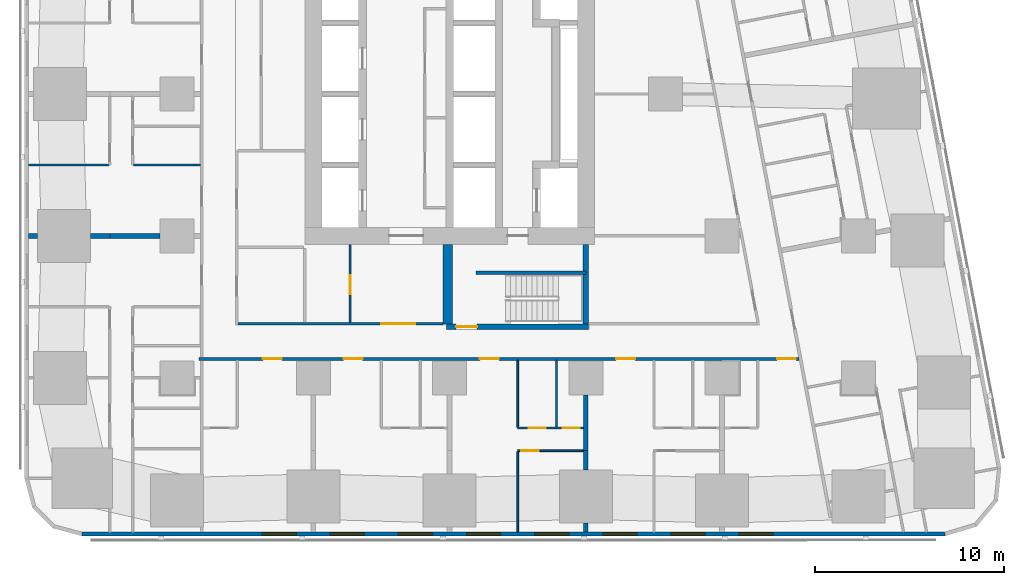
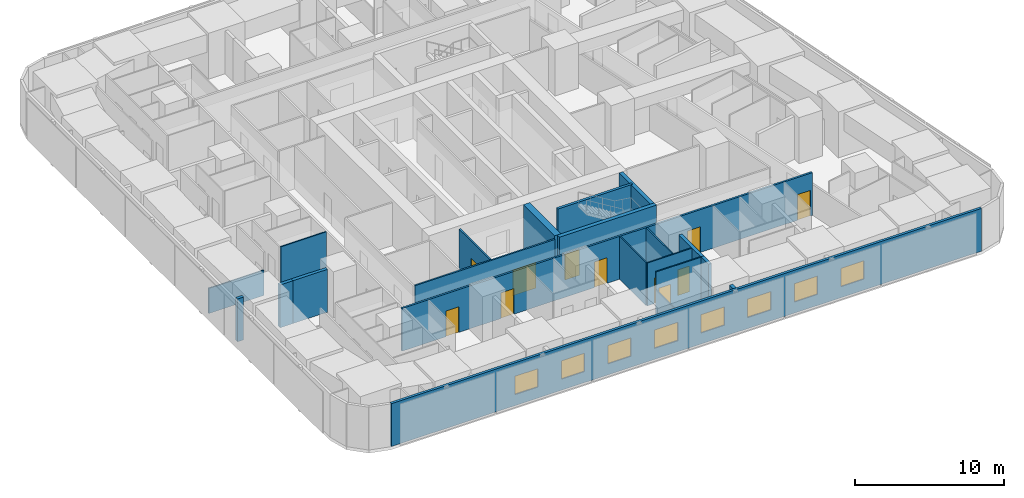
# One storey, part 3 of 15: 21 walls, 11 doors, 8 windows, 19 openings.
"""IFC4 building model written with IfcOpenShell, lengths in metres."""

from ifc_helpers import new_model, si_unit, direction, frame, frame_2d, origin, place, context, subcontext, project, spatial, rectangle, extrude, material, layer, layer_set, type_object, element, fill, save


model = new_model("IFC4")

# Units and contexts
model_context = context("Model", 3, precision=1e-05, world=origin(), true_north=direction((0.0, 1.0)))
body_context = subcontext(model_context, "Body", "Model", "MODEL_VIEW")
ifc_project = project(units=[si_unit("LENGTHUNIT", "METRE"), si_unit("AREAUNIT", "SQUARE_METRE"), si_unit("VOLUMEUNIT", "CUBIC_METRE"), si_unit("PLANEANGLEUNIT", "RADIAN"), si_unit("MASSUNIT", "GRAM", prefix="KILO")], contexts=[model_context])

# Site, building, storey
site_placement = place(None, origin())
site = spatial("IfcSite", under=ifc_project, at=site_placement, CompositionType="ELEMENT")
building_placement = place(site_placement, origin())
building = spatial("IfcBuilding", under=site, at=building_placement, Name="Sheger Commons Tower", CompositionType="ELEMENT")
storey_placement = place(building_placement, frame((0.0, 0.0, 46.25)))
storey = spatial("IfcBuildingStorey", under=building, at=storey_placement, Name="L11", CompositionType="ELEMENT", Elevation=46.25)

# Wall, openings, doors
ifc_material_1 = material(Name="Hollow concrete block masonry, skimmed both sides", Category="masonry")
ifc_layer_1 = layer(ifc_material_1, 0.14990234375)
ifc_layer_set_1 = layer_set([ifc_layer_1], Name="CORRIDOR WALL 150")
wall_type_1 = type_object("IfcWallType", Name="CORRIDOR WALL 150", PredefinedType="SOLIDWALL", material=ifc_layer_set_1)
wall_1_placement = place(storey_placement, frame((40.053955078125, 8.5, 0.0), z_axis=(0.0, 0.0, 1.0), x_axis=(-1.0, 0.0, 0.0)))
wall_1 = element("IfcWall", 1, at=wall_1_placement, inside=storey, type_object=wall_type_1, Name="Corridor wall L11", PredefinedType="SOLIDWALL", context=body_context, shape_type="SweptSolid", body=[
    extrude(rectangle(XDim=31.703857421875, YDim=0.14990234375, at=frame_2d((15.85205078125, 0.0))), origin(), (0.0, 0.0, 1.0), 3.5),
])
opening_1_placement = place(wall_1_placement, frame((27.321044921875, 0.0, 0.0)))
opening_1 = element("IfcOpeningElement", 2, at=opening_1_placement, cuts=wall_1, Name="Opening D1", PredefinedType="OPENING", context=body_context, shape_type="SweptSolid", body=[
    extrude(rectangle(XDim=1.0, YDim=2.10009765625, at=frame_2d((0.5, 1.050048828125))), frame((0.0, 0.0849609375, 0.0), z_axis=(0.0, -1.0, 0.0), x_axis=(1.0, 0.0, 0.0)), (0.0, 0.0, 1.0), 0.169921875),
])
opening_2_placement = place(wall_1_placement, frame((23.053955078125, 0.0, 0.0)))
opening_2 = element("IfcOpeningElement", 3, at=opening_2_placement, cuts=wall_1, Name="Opening D1", PredefinedType="OPENING", context=body_context, shape_type="SweptSolid", body=[
    extrude(rectangle(XDim=1.0, YDim=2.10009765625, at=frame_2d((0.5, 1.050048828125))), frame((0.0, 0.0849609375, 0.0), z_axis=(0.0, -1.0, 0.0), x_axis=(1.0, 0.0, 0.0)), (0.0, 0.0, 1.0), 0.169921875),
])
opening_3_placement = place(wall_1_placement, frame((15.85400390625, 0.0, 0.0)))
opening_3 = element("IfcOpeningElement", 4, at=opening_3_placement, cuts=wall_1, Name="Opening D1", PredefinedType="OPENING", context=body_context, shape_type="SweptSolid", body=[
    extrude(rectangle(XDim=1.0, YDim=2.10009765625, at=frame_2d((0.5, 1.050048828125))), frame((0.0, 0.0849609375, 0.0), z_axis=(0.0, -1.0, 0.0), x_axis=(1.0, 0.0, 0.0)), (0.0, 0.0, 1.0), 0.169921875),
])
opening_4_placement = place(wall_1_placement, frame((8.654052734375, 0.0, 0.0)))
opening_4 = element("IfcOpeningElement", 5, at=opening_4_placement, cuts=wall_1, Name="Opening D1", PredefinedType="OPENING", context=body_context, shape_type="SweptSolid", body=[
    extrude(rectangle(XDim=1.0, YDim=2.10009765625, at=frame_2d((0.5, 1.050048828125))), frame((0.0, 0.0849609375, 0.0), z_axis=(0.0, -1.0, 0.0), x_axis=(1.0, 0.0, 0.0)), (0.0, 0.0, 1.0), 0.169921875),
])
opening_5_placement = place(wall_1_placement, frame((0.14990234375, 0.0, 0.0)))
opening_5 = element("IfcOpeningElement", 6, at=opening_5_placement, cuts=wall_1, Name="Opening D1", PredefinedType="OPENING", context=body_context, shape_type="SweptSolid", body=[
    extrude(rectangle(XDim=1.0, YDim=2.10009765625, at=frame_2d((0.5, 1.050048828125))), frame((0.0, 0.0849609375, 0.0), z_axis=(0.0, -1.0, 0.0), x_axis=(1.0, 0.0, 0.0)), (0.0, 0.0, 1.0), 0.169921875),
])
ifc_material_2 = material(Name="Steel door set, fire rated", Category="steel")
door_type_1 = type_object("IfcDoorType", Name="FLAT ENTRANCE DOOR 1000x2100", OperationType="NOTDEFINED", PredefinedType="DOOR", material=ifc_material_2)
door_1_placement = place(opening_1_placement, origin())
door_1 = element("IfcDoor", 7, at=door_1_placement, inside=storey, type_object=door_type_1, Name="Flat entrance door", OperationType="SINGLE_SWING_LEFT", OverallHeight=2.10009765625, OverallWidth=1.0, PredefinedType="DOOR", context=body_context, shape_type="SweptSolid", body=[
    extrude(rectangle(XDim=1.0, YDim=2.10009765625, at=frame_2d((0.5, 1.050048828125))), frame((0.0, 0.02490234375, 0.0), z_axis=(0.0, -1.0, 0.0), x_axis=(1.0, 0.0, 0.0)), (0.0, 0.0, 1.0), 0.050048828125),
])
fill(opening_1, door_1)
door_2_placement = place(opening_2_placement, origin())
door_2 = element("IfcDoor", 8, at=door_2_placement, inside=storey, type_object=door_type_1, Name="Flat entrance door", OperationType="SINGLE_SWING_LEFT", OverallHeight=2.10009765625, OverallWidth=1.0, PredefinedType="DOOR", context=body_context, shape_type="SweptSolid", body=[
    extrude(rectangle(XDim=1.0, YDim=2.10009765625, at=frame_2d((0.5, 1.050048828125))), frame((0.0, 0.02490234375, 0.0), z_axis=(0.0, -1.0, 0.0), x_axis=(1.0, 0.0, 0.0)), (0.0, 0.0, 1.0), 0.050048828125),
])
fill(opening_2, door_2)
door_3_placement = place(opening_3_placement, origin())
door_3 = element("IfcDoor", 9, at=door_3_placement, inside=storey, type_object=door_type_1, Name="Flat entrance door", OperationType="SINGLE_SWING_LEFT", OverallHeight=2.10009765625, OverallWidth=1.0, PredefinedType="DOOR", context=body_context, shape_type="SweptSolid", body=[
    extrude(rectangle(XDim=1.0, YDim=2.10009765625, at=frame_2d((0.5, 1.050048828125))), frame((0.0, 0.02490234375, 0.0), z_axis=(0.0, -1.0, 0.0), x_axis=(1.0, 0.0, 0.0)), (0.0, 0.0, 1.0), 0.050048828125),
])
fill(opening_3, door_3)
door_4_placement = place(opening_4_placement, origin())
door_4 = element("IfcDoor", 10, at=door_4_placement, inside=storey, type_object=door_type_1, Name="Flat entrance door", OperationType="SINGLE_SWING_LEFT", OverallHeight=2.10009765625, OverallWidth=1.0, PredefinedType="DOOR", context=body_context, shape_type="SweptSolid", body=[
    extrude(rectangle(XDim=1.0, YDim=2.10009765625, at=frame_2d((0.5, 1.050048828125))), frame((0.0, 0.02490234375, 0.0), z_axis=(0.0, -1.0, 0.0), x_axis=(1.0, 0.0, 0.0)), (0.0, 0.0, 1.0), 0.050048828125),
])
fill(opening_4, door_4)
door_5_placement = place(opening_5_placement, origin())
door_5 = element("IfcDoor", 11, at=door_5_placement, inside=storey, type_object=door_type_1, Name="Flat entrance door", OperationType="SINGLE_SWING_LEFT", OverallHeight=2.10009765625, OverallWidth=1.0, PredefinedType="DOOR", context=body_context, shape_type="SweptSolid", body=[
    extrude(rectangle(XDim=1.0, YDim=2.10009765625, at=frame_2d((0.5, 1.050048828125))), frame((0.0, 0.02490234375, 0.0), z_axis=(0.0, -1.0, 0.0), x_axis=(1.0, 0.0, 0.0)), (0.0, 0.0, 1.0), 0.050048828125),
])
fill(opening_5, door_5)

# Walls
ifc_material_3 = material(Name="Dense concrete block masonry, plastered both sides (separating wall between flats)", Category="masonry")
ifc_layer_2 = layer(ifc_material_3, 0.25)
ifc_layer_set_2 = layer_set([ifc_layer_2], Name="DEMISING WALL 250")
wall_type_2 = type_object("IfcWallType", Name="DEMISING WALL 250", PredefinedType="SOLIDWALL", material=ifc_layer_set_2)
wall_2_placement = place(storey_placement, frame((-0.64990234375, 15.0, 0.0), z_axis=(0.0, 0.0, 1.0), x_axis=(1.0, 0.0, 0.0)))
element("IfcWall", 12, at=wall_2_placement, inside=storey, type_object=wall_type_2, Name="Demising wall L11", PredefinedType="SOLIDWALL", context=body_context, shape_type="SweptSolid", body=[
    extrude(rectangle(XDim=0.473876953125, YDim=0.25, at=frame_2d((0.23681640625, 0.0))), origin(), (0.0, 0.0, 1.0), 3.5),
])
wall_3_placement = place(storey_placement, frame((2.6259765625, 15.0, 0.0), z_axis=(0.0, 0.0, 1.0), x_axis=(1.0, 0.0, 0.0)))
element("IfcWall", 13, at=wall_3_placement, inside=storey, type_object=wall_type_2, Name="Demising wall L11", PredefinedType="SOLIDWALL", context=body_context, shape_type="SweptSolid", body=[
    extrude(rectangle(XDim=1.02392578125, YDim=0.25, at=frame_2d((0.511962890625, 0.0))), origin(), (0.0, 0.0, 1.0), 3.5),
])
wall_4_placement = place(storey_placement, frame((3.64990234375, 15.0, 0.0), z_axis=(0.0, 0.0, 1.0), x_axis=(1.0, 0.0, 0.0)))
element("IfcWall", 14, at=wall_4_placement, inside=storey, type_object=wall_type_2, Name="Demising wall L11", PredefinedType="SOLIDWALL", context=body_context, shape_type="SweptSolid", body=[
    extrude(rectangle(XDim=2.649169921875, YDim=0.25, at=frame_2d((1.32470703125, 0.0))), origin(), (0.0, 0.0, 1.0), 3.5),
])
wall_5_placement = place(storey_placement, frame((28.800048828125, -0.64990234375, 0.0), z_axis=(0.0, 0.0, 1.0), x_axis=(0.0, 1.0, 0.0)))
element("IfcWall", 15, at=wall_5_placement, inside=storey, type_object=wall_type_2, Name="Demising wall L11", PredefinedType="SOLIDWALL", context=body_context, shape_type="SweptSolid", body=[
    extrude(rectangle(XDim=0.473876953125, YDim=0.25, at=frame_2d((0.23681640625, 0.0))), origin(), (0.0, 0.0, 1.0), 3.5),
])
wall_6_placement = place(storey_placement, frame((28.800048828125, 2.6259765625, 0.0), z_axis=(0.0, 0.0, 1.0), x_axis=(0.0, 1.0, 0.0)))
element("IfcWall", 16, at=wall_6_placement, inside=storey, type_object=wall_type_2, Name="Demising wall L11", PredefinedType="SOLIDWALL", context=body_context, shape_type="SweptSolid", body=[
    extrude(rectangle(XDim=1.02392578125, YDim=0.25, at=frame_2d((0.511962890625, 0.0))), origin(), (0.0, 0.0, 1.0), 3.5),
])
wall_7_placement = place(storey_placement, frame((28.800048828125, 3.64990234375, 0.0), z_axis=(0.0, 0.0, 1.0), x_axis=(0.0, 1.0, 0.0)))
element("IfcWall", 17, at=wall_7_placement, inside=storey, type_object=wall_type_2, Name="Demising wall L11", PredefinedType="SOLIDWALL", context=body_context, shape_type="SweptSolid", body=[
    extrude(rectangle(XDim=2.94921875, YDim=0.25, at=frame_2d((1.474609375, 0.0))), origin(), (0.0, 0.0, 1.0), 3.5),
])

# Wall, openings, windows
ifc_material_4 = material(Name="Rendered concrete block masonry, dark grey", Category="masonry")
ifc_layer_3 = layer(ifc_material_4, 0.199951171875)
ifc_layer_set_3 = layer_set([ifc_layer_3], Name="FACADE WALL 200")
wall_type_3 = type_object("IfcWallType", Name="FACADE WALL 200", PredefinedType="SOLIDWALL", material=ifc_layer_set_3)
wall_8_placement = place(storey_placement, frame((2.1630859375, -0.75, 0.0), z_axis=(0.0, 0.0, 1.0), x_axis=(1.0, 0.0, 0.0)))
wall_8 = element("IfcWall", 18, at=wall_8_placement, inside=storey, type_object=wall_type_3, Name="Facade wall L11", PredefinedType="SOLIDWALL", context=body_context, shape_type="SweptSolid", body=[
    extrude(rectangle(XDim=45.6279296875, YDim=0.199951171875, at=frame_2d((22.81396484375, 0.0))), origin(), (0.0, 0.0, 1.0), 3.5),
])
opening_6_placement = place(wall_8_placement, frame((9.537109375, 0.0, 0.89990234375)))
opening_6 = element("IfcOpeningElement", 19, at=opening_6_placement, cuts=wall_8, Name="Opening W2", PredefinedType="OPENING", context=body_context, shape_type="SweptSolid", body=[
    extrude(rectangle(XDim=1.800048828125, YDim=1.5, at=frame_2d((0.89990234375, 0.75))), frame((0.0, 0.10986328125, 0.0), z_axis=(0.0, -1.0, 0.0), x_axis=(1.0, 0.0, 0.0)), (0.0, 0.0, 1.0), 0.219970703125),
])
opening_7_placement = place(wall_8_placement, frame((13.136962890625, 0.0, 0.89990234375)))
opening_7 = element("IfcOpeningElement", 20, at=opening_7_placement, cuts=wall_8, Name="Opening W2", PredefinedType="OPENING", context=body_context, shape_type="SweptSolid", body=[
    extrude(rectangle(XDim=1.800048828125, YDim=1.5, at=frame_2d((0.89990234375, 0.75))), frame((0.0, 0.10986328125, 0.0), z_axis=(0.0, -1.0, 0.0), x_axis=(1.0, 0.0, 0.0)), (0.0, 0.0, 1.0), 0.219970703125),
])
opening_8_placement = place(wall_8_placement, frame((16.737060546875, 0.0, 0.89990234375)))
opening_8 = element("IfcOpeningElement", 21, at=opening_8_placement, cuts=wall_8, Name="Opening W2", PredefinedType="OPENING", context=body_context, shape_type="SweptSolid", body=[
    extrude(rectangle(XDim=1.800048828125, YDim=1.5, at=frame_2d((0.89990234375, 0.75))), frame((0.0, 0.10986328125, 0.0), z_axis=(0.0, -1.0, 0.0), x_axis=(1.0, 0.0, 0.0)), (0.0, 0.0, 1.0), 0.219970703125),
])
opening_9_placement = place(wall_8_placement, frame((20.3369140625, 0.0, 0.89990234375)))
opening_9 = element("IfcOpeningElement", 22, at=opening_9_placement, cuts=wall_8, Name="Opening W2", PredefinedType="OPENING", context=body_context, shape_type="SweptSolid", body=[
    extrude(rectangle(XDim=1.800048828125, YDim=1.5, at=frame_2d((0.89990234375, 0.75))), frame((0.0, 0.10986328125, 0.0), z_axis=(0.0, -1.0, 0.0), x_axis=(1.0, 0.0, 0.0)), (0.0, 0.0, 1.0), 0.219970703125),
])
opening_10_placement = place(wall_8_placement, frame((23.93701171875, 0.0, 0.89990234375)))
opening_10 = element("IfcOpeningElement", 23, at=opening_10_placement, cuts=wall_8, Name="Opening W2", PredefinedType="OPENING", context=body_context, shape_type="SweptSolid", body=[
    extrude(rectangle(XDim=1.800048828125, YDim=1.5, at=frame_2d((0.89990234375, 0.75))), frame((0.0, 0.10986328125, 0.0), z_axis=(0.0, -1.0, 0.0), x_axis=(1.0, 0.0, 0.0)), (0.0, 0.0, 1.0), 0.219970703125),
])
opening_11_placement = place(wall_8_placement, frame((27.537109375, 0.0, 0.89990234375)))
opening_11 = element("IfcOpeningElement", 24, at=opening_11_placement, cuts=wall_8, Name="Opening W2", PredefinedType="OPENING", context=body_context, shape_type="SweptSolid", body=[
    extrude(rectangle(XDim=1.800048828125, YDim=1.5, at=frame_2d((0.89990234375, 0.75))), frame((0.0, 0.10986328125, 0.0), z_axis=(0.0, -1.0, 0.0), x_axis=(1.0, 0.0, 0.0)), (0.0, 0.0, 1.0), 0.219970703125),
])
opening_12_placement = place(wall_8_placement, frame((31.136962890625, 0.0, 0.89990234375)))
opening_12 = element("IfcOpeningElement", 25, at=opening_12_placement, cuts=wall_8, Name="Opening W2", PredefinedType="OPENING", context=body_context, shape_type="SweptSolid", body=[
    extrude(rectangle(XDim=1.800048828125, YDim=1.5, at=frame_2d((0.89990234375, 0.75))), frame((0.0, 0.10986328125, 0.0), z_axis=(0.0, -1.0, 0.0), x_axis=(1.0, 0.0, 0.0)), (0.0, 0.0, 1.0), 0.219970703125),
])
opening_13_placement = place(wall_8_placement, frame((34.737060546875, 0.0, 0.89990234375)))
opening_13 = element("IfcOpeningElement", 26, at=opening_13_placement, cuts=wall_8, Name="Opening W2", PredefinedType="OPENING", context=body_context, shape_type="SweptSolid", body=[
    extrude(rectangle(XDim=1.800048828125, YDim=1.5, at=frame_2d((0.89990234375, 0.75))), frame((0.0, 0.10986328125, 0.0), z_axis=(0.0, -1.0, 0.0), x_axis=(1.0, 0.0, 0.0)), (0.0, 0.0, 1.0), 0.219970703125),
])
ifc_material_5 = material(Name="Black aluminium frame, dark tinted double glazing", Category="aluminium")
window_type = type_object("IfcWindowType", Name="WINDOW W2 1800x1500", PartitioningType="SINGLE_PANEL", PredefinedType="WINDOW", material=ifc_material_5)
window_1_placement = place(opening_6_placement, origin())
window_1 = element("IfcWindow", 27, at=window_1_placement, inside=storey, type_object=window_type, Name="Window W2 1800X1500", OverallHeight=1.5, OverallWidth=1.800048828125, PartitioningType="SINGLE_PANEL", PredefinedType="WINDOW", context=body_context, shape_type="SweptSolid", body=[
    extrude(rectangle(XDim=1.800048828125, YDim=1.5, at=frame_2d((0.89990234375, 0.75))), frame((0.0, 0.030029296875, 0.0), z_axis=(0.0, -1.0, 0.0), x_axis=(1.0, 0.0, 0.0)), (0.0, 0.0, 1.0), 0.06005859375),
])
fill(opening_6, window_1)
window_2_placement = place(opening_7_placement, origin())
window_2 = element("IfcWindow", 28, at=window_2_placement, inside=storey, type_object=window_type, Name="Window W2 1800X1500", OverallHeight=1.5, OverallWidth=1.800048828125, PartitioningType="SINGLE_PANEL", PredefinedType="WINDOW", context=body_context, shape_type="SweptSolid", body=[
    extrude(rectangle(XDim=1.800048828125, YDim=1.5, at=frame_2d((0.89990234375, 0.75))), frame((0.0, 0.030029296875, 0.0), z_axis=(0.0, -1.0, 0.0), x_axis=(1.0, 0.0, 0.0)), (0.0, 0.0, 1.0), 0.06005859375),
])
fill(opening_7, window_2)
window_3_placement = place(opening_8_placement, origin())
window_3 = element("IfcWindow", 29, at=window_3_placement, inside=storey, type_object=window_type, Name="Window W2 1800X1500", OverallHeight=1.5, OverallWidth=1.800048828125, PartitioningType="SINGLE_PANEL", PredefinedType="WINDOW", context=body_context, shape_type="SweptSolid", body=[
    extrude(rectangle(XDim=1.800048828125, YDim=1.5, at=frame_2d((0.89990234375, 0.75))), frame((0.0, 0.030029296875, 0.0), z_axis=(0.0, -1.0, 0.0), x_axis=(1.0, 0.0, 0.0)), (0.0, 0.0, 1.0), 0.06005859375),
])
fill(opening_8, window_3)
window_4_placement = place(opening_9_placement, origin())
window_4 = element("IfcWindow", 30, at=window_4_placement, inside=storey, type_object=window_type, Name="Window W2 1800X1500", OverallHeight=1.5, OverallWidth=1.800048828125, PartitioningType="SINGLE_PANEL", PredefinedType="WINDOW", context=body_context, shape_type="SweptSolid", body=[
    extrude(rectangle(XDim=1.800048828125, YDim=1.5, at=frame_2d((0.89990234375, 0.75))), frame((0.0, 0.030029296875, 0.0), z_axis=(0.0, -1.0, 0.0), x_axis=(1.0, 0.0, 0.0)), (0.0, 0.0, 1.0), 0.06005859375),
])
fill(opening_9, window_4)
window_5_placement = place(opening_10_placement, origin())
window_5 = element("IfcWindow", 31, at=window_5_placement, inside=storey, type_object=window_type, Name="Window W2 1800X1500", OverallHeight=1.5, OverallWidth=1.800048828125, PartitioningType="SINGLE_PANEL", PredefinedType="WINDOW", context=body_context, shape_type="SweptSolid", body=[
    extrude(rectangle(XDim=1.800048828125, YDim=1.5, at=frame_2d((0.89990234375, 0.75))), frame((0.0, 0.030029296875, 0.0), z_axis=(0.0, -1.0, 0.0), x_axis=(1.0, 0.0, 0.0)), (0.0, 0.0, 1.0), 0.06005859375),
])
fill(opening_10, window_5)
window_6_placement = place(opening_11_placement, origin())
window_6 = element("IfcWindow", 32, at=window_6_placement, inside=storey, type_object=window_type, Name="Window W2 1800X1500", OverallHeight=1.5, OverallWidth=1.800048828125, PartitioningType="SINGLE_PANEL", PredefinedType="WINDOW", context=body_context, shape_type="SweptSolid", body=[
    extrude(rectangle(XDim=1.800048828125, YDim=1.5, at=frame_2d((0.89990234375, 0.75))), frame((0.0, 0.030029296875, 0.0), z_axis=(0.0, -1.0, 0.0), x_axis=(1.0, 0.0, 0.0)), (0.0, 0.0, 1.0), 0.06005859375),
])
fill(opening_11, window_6)
window_7_placement = place(opening_12_placement, origin())
window_7 = element("IfcWindow", 33, at=window_7_placement, inside=storey, type_object=window_type, Name="Window W2 1800X1500", OverallHeight=1.5, OverallWidth=1.800048828125, PartitioningType="SINGLE_PANEL", PredefinedType="WINDOW", context=body_context, shape_type="SweptSolid", body=[
    extrude(rectangle(XDim=1.800048828125, YDim=1.5, at=frame_2d((0.89990234375, 0.75))), frame((0.0, 0.030029296875, 0.0), z_axis=(0.0, -1.0, 0.0), x_axis=(1.0, 0.0, 0.0)), (0.0, 0.0, 1.0), 0.06005859375),
])
fill(opening_12, window_7)
window_8_placement = place(opening_13_placement, origin())
window_8 = element("IfcWindow", 34, at=window_8_placement, inside=storey, type_object=window_type, Name="Window W2 1800X1500", OverallHeight=1.5, OverallWidth=1.800048828125, PartitioningType="SINGLE_PANEL", PredefinedType="WINDOW", context=body_context, shape_type="SweptSolid", body=[
    extrude(rectangle(XDim=1.800048828125, YDim=1.5, at=frame_2d((0.89990234375, 0.75))), frame((0.0, 0.030029296875, 0.0), z_axis=(0.0, -1.0, 0.0), x_axis=(1.0, 0.0, 0.0)), (0.0, 0.0, 1.0), 0.06005859375),
])
fill(opening_13, window_8)

# Walls
ifc_material_6 = material(Name="Gypsum board on steel studs", Category="steel")
ifc_layer_4 = layer(ifc_material_6, 0.10009765625)
ifc_layer_set_4 = layer_set([ifc_layer_4], Name="PARTITION 100")
wall_type_4 = type_object("IfcWallType", Name="PARTITION 100", PredefinedType="PARTITIONING", material=ifc_layer_set_4)
wall_9_placement = place(storey_placement, frame((-0.64990234375, 18.75, 0.0), z_axis=(0.0, 0.0, 1.0), x_axis=(1.0, 0.0, 0.0)))
element("IfcWall", 35, at=wall_9_placement, inside=storey, type_object=wall_type_4, Name="Partition L11", PredefinedType="PARTITIONING", context=body_context, shape_type="SweptSolid", body=[
    extrude(rectangle(XDim=4.25, YDim=0.10009765625, at=frame_2d((2.125, 0.0))), origin(), (0.0, 0.0, 1.0), 2.050048828125),
])
wall_10_placement = place(storey_placement, frame((4.89990234375, 18.75, 0.0), z_axis=(0.0, 0.0, 1.0), x_axis=(1.0, 0.0, 0.0)))
element("IfcWall", 36, at=wall_10_placement, inside=storey, type_object=wall_type_4, Name="Partition L11", PredefinedType="PARTITIONING", context=body_context, shape_type="SweptSolid", body=[
    extrude(rectangle(XDim=3.525146484375, YDim=0.10009765625, at=frame_2d((1.7626953125, 0.0))), origin(), (0.0, 0.0, 1.0), 3.5),
])

# Wall, opening, door
wall_11_placement = place(storey_placement, frame((28.675048828125, 3.64990234375, 0.0), z_axis=(0.0, 0.0, 1.0), x_axis=(-1.0, 0.0, 0.0)))
wall_11 = element("IfcWall", 37, at=wall_11_placement, inside=storey, type_object=wall_type_4, Name="Partition L11", PredefinedType="PARTITIONING", context=body_context, shape_type="SweptSolid", body=[
    extrude(rectangle(XDim=3.47509765625, YDim=0.10009765625, at=frame_2d((1.737548828125, 0.0))), origin(), (0.0, 0.0, 1.0), 3.5),
])
opening_14_placement = place(wall_11_placement, frame((2.375, 0.0, 0.0)))
opening_14 = element("IfcOpeningElement", 38, at=opening_14_placement, cuts=wall_11, Name="Opening D2", PredefinedType="OPENING", context=body_context, shape_type="SweptSolid", body=[
    extrude(rectangle(XDim=0.89990234375, YDim=2.10009765625, at=frame_2d((0.449951171875, 1.050048828125))), frame((0.0, 0.06005859375, 0.0), z_axis=(0.0, -1.0, 0.0), x_axis=(1.0, 0.0, 0.0)), (0.0, 0.0, 1.0), 0.1201171875),
])
ifc_material_7 = material(Name="Timber door set", Category="wood")
door_type_2 = type_object("IfcDoorType", Name="INTERNAL DOOR 900x2100", OperationType="NOTDEFINED", PredefinedType="DOOR", material=ifc_material_7)
door_6_placement = place(opening_14_placement, origin())
door_6 = element("IfcDoor", 39, at=door_6_placement, inside=storey, type_object=door_type_2, Name="Main bedroom door", OperationType="SINGLE_SWING_RIGHT", OverallHeight=2.10009765625, OverallWidth=0.89990234375, PredefinedType="DOOR", context=body_context, shape_type="SweptSolid", body=[
    extrude(rectangle(XDim=0.89990234375, YDim=2.10009765625, at=frame_2d((0.449951171875, 1.050048828125))), frame((0.0, 0.02490234375, 0.0), z_axis=(0.0, -1.0, 0.0), x_axis=(1.0, 0.0, 0.0)), (0.0, 0.0, 1.0), 0.050048828125),
])
fill(opening_14, door_6)

# Wall, openings, doors
wall_12_placement = place(storey_placement, frame((28.675048828125, 4.85009765625, 0.0), z_axis=(0.0, 0.0, 1.0), x_axis=(-1.0, 0.0, 0.0)))
wall_12 = element("IfcWall", 40, at=wall_12_placement, inside=storey, type_object=wall_type_4, Name="Partition L11", PredefinedType="PARTITIONING", context=body_context, shape_type="SweptSolid", body=[
    extrude(rectangle(XDim=3.47509765625, YDim=0.10009765625, at=frame_2d((1.737548828125, 0.0))), origin(), (0.0, 0.0, 1.0), 3.5),
])
opening_15_placement = place(wall_12_placement, frame((2.0, 0.0, 0.0)))
opening_15 = element("IfcOpeningElement", 41, at=opening_15_placement, cuts=wall_12, Name="Opening D2", PredefinedType="OPENING", context=body_context, shape_type="SweptSolid", body=[
    extrude(rectangle(XDim=0.89990234375, YDim=2.10009765625, at=frame_2d((0.449951171875, 1.050048828125))), frame((0.0, 0.06005859375, 0.0), z_axis=(0.0, -1.0, 0.0), x_axis=(1.0, 0.0, 0.0)), (0.0, 0.0, 1.0), 0.1201171875),
])
opening_16_placement = place(wall_12_placement, frame((0.199951171875, 0.0, 0.0)))
opening_16 = element("IfcOpeningElement", 42, at=opening_16_placement, cuts=wall_12, Name="Opening D2", PredefinedType="OPENING", context=body_context, shape_type="SweptSolid", body=[
    extrude(rectangle(XDim=0.89990234375, YDim=2.10009765625, at=frame_2d((0.449951171875, 1.050048828125))), frame((0.0, 0.06005859375, 0.0), z_axis=(0.0, -1.0, 0.0), x_axis=(1.0, 0.0, 0.0)), (0.0, 0.0, 1.0), 0.1201171875),
])
door_7_placement = place(opening_15_placement, origin())
door_7 = element("IfcDoor", 43, at=door_7_placement, inside=storey, type_object=door_type_2, Name="Bathroom door", OperationType="SINGLE_SWING_LEFT", OverallHeight=2.10009765625, OverallWidth=0.89990234375, PredefinedType="DOOR", context=body_context, shape_type="SweptSolid", body=[
    extrude(rectangle(XDim=0.89990234375, YDim=2.10009765625, at=frame_2d((0.449951171875, 1.050048828125))), frame((0.0, 0.02490234375, 0.0), z_axis=(0.0, -1.0, 0.0), x_axis=(1.0, 0.0, 0.0)), (0.0, 0.0, 1.0), 0.050048828125),
])
fill(opening_15, door_7)
door_8_placement = place(opening_16_placement, origin())
door_8 = element("IfcDoor", 44, at=door_8_placement, inside=storey, type_object=door_type_2, Name="Store door", OperationType="SINGLE_SWING_RIGHT", OverallHeight=2.10009765625, OverallWidth=0.89990234375, PredefinedType="DOOR", context=body_context, shape_type="SweptSolid", body=[
    extrude(rectangle(XDim=0.89990234375, YDim=2.10009765625, at=frame_2d((0.449951171875, 1.050048828125))), frame((0.0, 0.02490234375, 0.0), z_axis=(0.0, -1.0, 0.0), x_axis=(1.0, 0.0, 0.0)), (0.0, 0.0, 1.0), 0.050048828125),
])
fill(opening_16, door_8)

# Walls
wall_13_placement = place(storey_placement, frame((25.199951171875, -0.64990234375, 0.0), z_axis=(0.0, 0.0, 1.0), x_axis=(0.0, 1.0, 0.0)))
element("IfcWall", 45, at=wall_13_placement, inside=storey, type_object=wall_type_4, Name="Partition L11", PredefinedType="PARTITIONING", context=body_context, shape_type="SweptSolid", body=[
    extrude(rectangle(XDim=4.25, YDim=0.10009765625, at=frame_2d((2.125, 0.0))), origin(), (0.0, 0.0, 1.0), 2.050048828125),
])
for number, where, z_axis, x_axis, name in (
    (46, (25.199951171875, 4.89990234375, 0.0), (0.0, 0.0, 1.0), (0.0, 1.0, 0.0), "Partition L11"),
    (47, (27.25, 4.89990234375, 0.0), (0.0, 0.0, 1.0), (0.0, 1.0, 0.0), "Partition L11"),
):
    element("IfcWall", number, at=place(storey_placement, frame(where, z_axis=z_axis, x_axis=x_axis)), inside=storey, type_object=wall_type_4, Name=name, PredefinedType="PARTITIONING", context=body_context, shape_type="SweptSolid", body=[
        extrude(rectangle(XDim=3.525146484375, YDim=0.10009765625, at=frame_2d((1.7626953125, 0.0))), origin(), (0.0, 0.0, 1.0), 3.5),
    ])

# Wall, opening, door
ifc_material_8 = material(Name="Gypsum board on steel studs, two layers each side, fire rated", Category="steel")
ifc_layer_5 = layer(ifc_material_8, 0.125)
ifc_layer_set_5 = layer_set([ifc_layer_5], Name="SERVICE WALL 125")
wall_type_5 = type_object("IfcWallType", Name="SERVICE WALL 125", PredefinedType="PARTITIONING", material=ifc_layer_set_5)
wall_14_placement = place(storey_placement, frame((10.4130859375, 10.35009765625, 0.0), z_axis=(0.0, 0.0, 1.0), x_axis=(1.0, 0.0, 0.0)))
wall_14 = element("IfcWall", 48, at=wall_14_placement, inside=storey, type_object=wall_type_5, Name="Service room wall L11", PredefinedType="PARTITIONING", context=body_context, shape_type="SweptSolid", body=[
    extrude(rectangle(XDim=10.8369140625, YDim=0.125, at=frame_2d((5.41845703125, 0.0))), origin(), (0.0, 0.0, 1.0), 3.5),
])
opening_17_placement = place(wall_14_placement, frame((7.58203125, 0.0, 0.0)))
opening_17 = element("IfcOpeningElement", 49, at=opening_17_placement, cuts=wall_14, Name="Opening D6", PredefinedType="OPENING", context=body_context, shape_type="SweptSolid", body=[
    extrude(rectangle(XDim=1.800048828125, YDim=2.10009765625, at=frame_2d((0.89990234375, 1.050048828125))), frame((0.0, 0.072509765625, 0.0), z_axis=(0.0, -1.0, 0.0), x_axis=(1.0, 0.0, 0.0)), (0.0, 0.0, 1.0), 0.14501953125),
])
ifc_material_9 = material(Name="Steel door set, fire rated", Category="steel")
door_type_3 = type_object("IfcDoorType", Name="LOBBY DOUBLE DOOR 1800x2100", OperationType="DOUBLE_DOOR_SINGLE_SWING", PredefinedType="DOOR", material=ifc_material_9)
door_9_placement = place(opening_17_placement, origin())
door_9 = element("IfcDoor", 50, at=door_9_placement, inside=storey, type_object=door_type_3, Name="Lift lobby south door", OperationType="DOUBLE_DOOR_SINGLE_SWING", OverallHeight=2.10009765625, OverallWidth=1.800048828125, PredefinedType="DOOR", context=body_context, shape_type="SweptSolid", body=[
    extrude(rectangle(XDim=1.800048828125, YDim=2.10009765625, at=frame_2d((0.89990234375, 1.050048828125))), frame((0.0, 0.02490234375, 0.0), z_axis=(0.0, -1.0, 0.0), x_axis=(1.0, 0.0, 0.0)), (0.0, 0.0, 1.0), 0.050048828125),
])
fill(opening_17, door_9)

wall_15_placement = place(storey_placement, frame((16.340087890625, 10.4130859375, 0.0), z_axis=(0.0, 0.0, 1.0), x_axis=(0.0, 1.0, 0.0)))
wall_15 = element("IfcWall", 51, at=wall_15_placement, inside=storey, type_object=wall_type_5, Name="Service room wall L11", PredefinedType="PARTITIONING", context=body_context, shape_type="SweptSolid", body=[
    extrude(rectangle(XDim=4.136962890625, YDim=0.125, at=frame_2d((2.068359375, 0.0))), origin(), (0.0, 0.0, 1.0), 3.5),
])
opening_18_placement = place(wall_15_placement, frame((1.511962890625, 0.0, 0.0)))
opening_18 = element("IfcOpeningElement", 52, at=opening_18_placement, cuts=wall_15, Name="Opening D4", PredefinedType="OPENING", context=body_context, shape_type="SweptSolid", body=[
    extrude(rectangle(XDim=1.0, YDim=2.10009765625, at=frame_2d((0.5, 1.050048828125))), frame((0.0, 0.072509765625, 0.0), z_axis=(0.0, -1.0, 0.0), x_axis=(1.0, 0.0, 0.0)), (0.0, 0.0, 1.0), 0.14501953125),
])
ifc_material_10 = material(Name="Steel door set, fire rated", Category="steel")
door_type_4 = type_object("IfcDoorType", Name="SERVICE DOOR 1000x2100", OperationType="NOTDEFINED", PredefinedType="DOOR", material=ifc_material_10)
door_10_placement = place(opening_18_placement, origin())
door_10 = element("IfcDoor", 53, at=door_10_placement, inside=storey, type_object=door_type_4, Name="Electrical room door", OperationType="SINGLE_SWING_LEFT", OverallHeight=2.10009765625, OverallWidth=1.0, PredefinedType="DOOR", context=body_context, shape_type="SweptSolid", body=[
    extrude(rectangle(XDim=1.0, YDim=2.10009765625, at=frame_2d((0.5, 1.050048828125))), frame((0.0, 0.02490234375, 0.0), z_axis=(0.0, -1.0, 0.0), x_axis=(1.0, 0.0, 0.0)), (0.0, 0.0, 1.0), 0.050048828125),
])
fill(opening_18, door_10)

ifc_material_11 = material(Name="Concrete C50/60", Category="concrete")
ifc_layer_6 = layer(ifc_material_11, 0.300048828125)
ifc_layer_set_6 = layer_set([ifc_layer_6], Name="STAIR CORE WALL 300")
wall_type_6 = type_object("IfcWallType", Name="STAIR CORE WALL 300", PredefinedType="SHEAR", material=ifc_layer_set_6)
wall_16_placement = place(storey_placement, frame((21.449951171875, 10.199951171875, 0.0), z_axis=(0.0, 0.0, 1.0), x_axis=(1.0, 0.0, 0.0)))
wall_16 = element("IfcWall", 54, at=wall_16_placement, inside=storey, type_object=wall_type_6, Name="STW-L11-S1S", PredefinedType="SHEAR", context=body_context, shape_type="SweptSolid", body=[
    extrude(rectangle(XDim=7.5, YDim=0.300048828125, at=frame_2d((3.75, 0.0))), origin(), (0.0, 0.0, 1.0), 3.75),
])
opening_19_placement = place(wall_16_placement, frame((0.5, 0.0, 0.0)))
opening_19 = element("IfcOpeningElement", 55, at=opening_19_placement, cuts=wall_16, Name="Opening D5", PredefinedType="OPENING", context=body_context, shape_type="SweptSolid", body=[
    extrude(rectangle(XDim=1.10009765625, YDim=2.10009765625, at=frame_2d((0.550048828125, 1.050048828125))), frame((0.0, 0.159912109375, 0.0), z_axis=(0.0, -1.0, 0.0), x_axis=(1.0, 0.0, 0.0)), (0.0, 0.0, 1.0), 0.320068359375),
])
ifc_material_12 = material(Name="Steel door set, fire rated", Category="steel")
door_type_5 = type_object("IfcDoorType", Name="STAIR DOOR 1100x2100", OperationType="NOTDEFINED", PredefinedType="DOOR", material=ifc_material_12)
door_11_placement = place(opening_19_placement, origin())
door_11 = element("IfcDoor", 56, at=door_11_placement, inside=storey, type_object=door_type_5, Name="Stair S1 door", OperationType="SINGLE_SWING_LEFT", OverallHeight=2.10009765625, OverallWidth=1.10009765625, PredefinedType="DOOR", context=body_context, shape_type="SweptSolid", body=[
    extrude(rectangle(XDim=1.10009765625, YDim=2.10009765625, at=frame_2d((0.550048828125, 1.050048828125))), frame((0.0, 0.02490234375, 0.0), z_axis=(0.0, -1.0, 0.0), x_axis=(1.0, 0.0, 0.0)), (0.0, 0.0, 1.0), 0.050048828125),
])
fill(opening_19, door_11)

# Walls
wall_17_placement = place(storey_placement, frame((28.800048828125, 10.35009765625, 0.0), z_axis=(0.0, 0.0, 1.0), x_axis=(0.0, 1.0, 0.0)))
element("IfcWall", 57, at=wall_17_placement, inside=storey, type_object=wall_type_6, Name="STW-L11-S1E", PredefinedType="SHEAR", context=body_context, shape_type="SweptSolid", body=[
    extrude(rectangle(XDim=4.199951171875, YDim=0.300048828125, at=frame_2d((2.10009765625, 0.0))), origin(), (0.0, 0.0, 1.0), 3.75),
])
ifc_material_13 = material(Name="Concrete C50/60", Category="concrete")
ifc_layer_7 = layer(ifc_material_13, 0.5)
ifc_layer_set_7 = layer_set([ifc_layer_7], Name="STAIR CORE WALL 500")
wall_type_7 = type_object("IfcWallType", Name="STAIR CORE WALL 500", PredefinedType="SHEAR", material=ifc_layer_set_7)
wall_18_placement = place(storey_placement, frame((21.5, 10.35009765625, 0.0), z_axis=(0.0, 0.0, 1.0), x_axis=(0.0, 1.0, 0.0)))
element("IfcWall", 58, at=wall_18_placement, inside=storey, type_object=wall_type_7, Name="STW-L11-S1W", PredefinedType="SHEAR", context=body_context, shape_type="SweptSolid", body=[
    extrude(rectangle(XDim=4.199951171875, YDim=0.5, at=frame_2d((2.10009765625, 0.0))), origin(), (0.0, 0.0, 1.0), 3.75),
])
ifc_material_14 = material(Name="Concrete C50/60", Category="concrete")
ifc_layer_8 = layer(ifc_material_14, 0.199951171875)
ifc_layer_set_8 = layer_set([ifc_layer_8], Name="STAIR SPINE WALL 200")
wall_type_8 = type_object("IfcWallType", Name="STAIR SPINE WALL 200", PredefinedType="SHEAR", material=ifc_layer_set_8)
wall_19_placement = place(storey_placement, frame((23.0, 13.050048828125, 0.0), z_axis=(0.0, 0.0, 1.0), x_axis=(1.0, 0.0, 0.0)))
element("IfcWall", 59, at=wall_19_placement, inside=storey, type_object=wall_type_8, Name="Stair spine wall L11", PredefinedType="SHEAR", context=body_context, shape_type="SweptSolid", body=[
    extrude(rectangle(XDim=5.800048828125, YDim=0.199951171875, at=frame_2d((2.89990234375, 0.0))), origin(), (0.0, 0.0, 1.0), 3.75),
])

save(model, "model.ifc")
